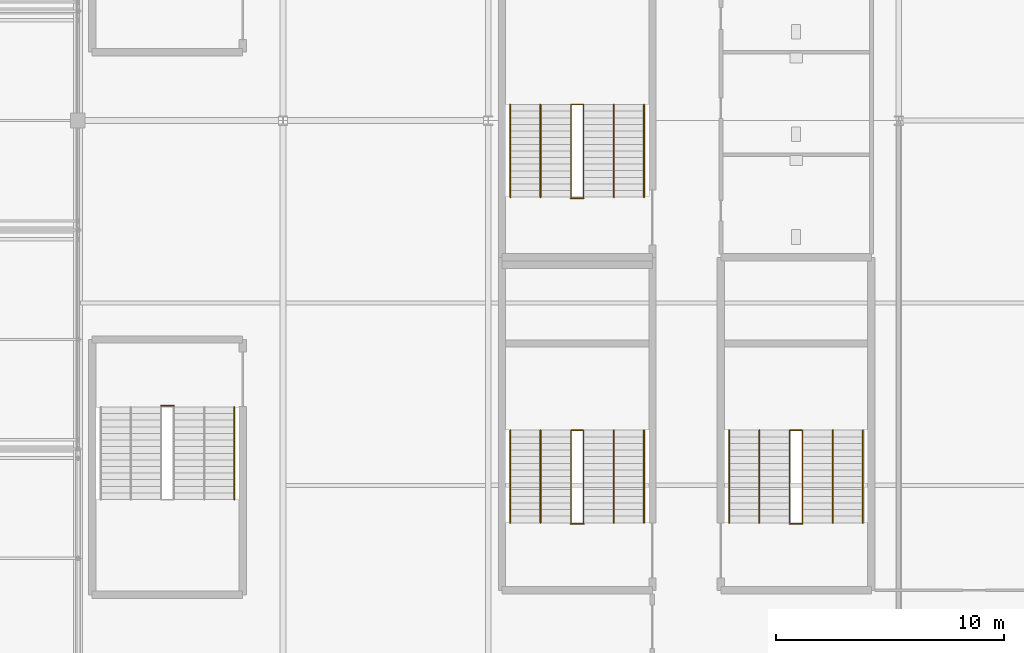
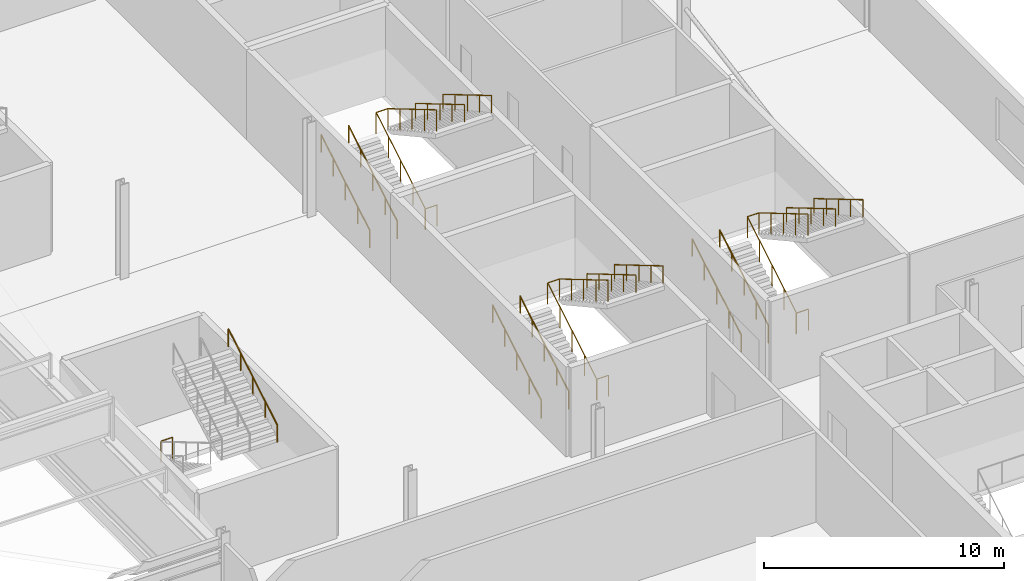
# One storey, part 132 of 136: 20 railings.
"""IFC4 building model written with IfcOpenShell, lengths in metres."""

from ifc_helpers import new_model, si_unit, direction, frame, origin, origin_2d, place, context, subcontext, project, spatial, circle, extrude, material, type_object, element, save


model = new_model("IFC4")

# Units and contexts
model_context = context("Model", 3, precision=1e-05, world=origin(), true_north=direction((0.0, 1.0)))
body_context = subcontext(model_context, "Body", "Model", "MODEL_VIEW")
ifc_project = project(units=[si_unit("LENGTHUNIT", "METRE"), si_unit("AREAUNIT", "SQUARE_METRE"), si_unit("VOLUMEUNIT", "CUBIC_METRE"), si_unit("PLANEANGLEUNIT", "RADIAN"), si_unit("MASSUNIT", "GRAM", prefix="KILO")], contexts=[model_context])

# Site, building, storey
site_placement = place(None, origin())
site = spatial("IfcSite", under=ifc_project, at=site_placement, CompositionType="ELEMENT")
building_placement = place(site_placement, origin())
building = spatial("IfcBuilding", under=site, at=building_placement, Name="Kisiwana Market Hall", CompositionType="ELEMENT")
storey_placement = place(building_placement, frame((0.0, 0.0, 16.800048828125)))
storey = spatial("IfcBuildingStorey", under=building, at=storey_placement, Name="L03", CompositionType="ELEMENT", Elevation=16.800048828125)

# Railings
ifc_material_1 = material(Name="Steel S275", Category="steel")
railing_type_1 = type_object("IfcRailingType", Name="RL-GUARD-1100", PredefinedType="GUARDRAIL", material=ifc_material_1)
railing_1_placement = place(storey_placement, frame((184.219970703125, 42.360107421875, 0.0)))
element("IfcRailing", 1, at=railing_1_placement, inside=storey, type_object=railing_type_1, Name="Stair ST-E3-L03 inner-well guardrail (RL-671)", PredefinedType="GUARDRAIL", context=body_context, shape_type="SweptSolid", body=[
    extrude(circle(Radius=0.02392578125, at=origin_2d()), frame((0.0, 0.0, 1.076171875), z_axis=(0.0, 0.860840976868, 0.508874063541), x_axis=(-1.0, 0.0, 0.0)), (0.0, 0.0, 1.0), 4.716064453125),
    extrude(circle(Radius=0.02392578125, at=origin_2d()), frame((0.0, 4.059814453125, 3.47607421875), z_axis=(1.0, 0.0, 0.0), x_axis=(0.0, 1.0, 0.0)), (0.0, 0.0, 1.0), 0.56005859375),
    extrude(circle(Radius=0.02392578125, at=origin_2d()), frame((0.56005859375, 4.059814453125, 3.47607421875), z_axis=(0.0, -0.860818299379, 0.50891242415), x_axis=(1.0, 0.0, 0.0)), (0.0, 0.0, 1.0), 4.71630859375),
    extrude(circle(Radius=0.02099609375, at=origin_2d()), origin(), (0.0, 0.0, 1.0), 1.052001953125),
    extrude(circle(Radius=0.02099609375, at=origin_2d()), frame((0.0, 1.014892578125, 0.60009765625)), (0.0, 0.0, 1.0), 1.052001953125),
    extrude(circle(Radius=0.02099609375, at=origin_2d()), frame((0.0, 2.02978515625, 1.199951171875)), (0.0, 0.0, 1.0), 1.052001953125),
    extrude(circle(Radius=0.02099609375, at=origin_2d()), frame((0.0, 3.044921875, 1.7998046875)), (0.0, 0.0, 1.0), 1.052001953125),
    extrude(circle(Radius=0.02099609375, at=origin_2d()), frame((0.0, 4.059814453125, 2.39990234375)), (0.0, 0.0, 1.0), 1.052001953125),
    extrude(circle(Radius=0.02099609375, at=origin_2d()), frame((0.56005859375, 4.059814453125, 2.39990234375)), (0.0, 0.0, 1.0), 1.052001953125),
    extrude(circle(Radius=0.02099609375, at=origin_2d()), frame((0.56005859375, 3.044921875, 3.0)), (0.0, 0.0, 1.0), 1.052001953125),
    extrude(circle(Radius=0.02099609375, at=origin_2d()), frame((0.56005859375, 2.02978515625, 3.60009765625)), (0.0, 0.0, 1.0), 1.052001953125),
    extrude(circle(Radius=0.02099609375, at=origin_2d()), frame((0.56005859375, 1.014892578125, 4.199951171875)), (0.0, 0.0, 1.0), 1.052001953125),
    extrude(circle(Radius=0.02099609375, at=origin_2d()), frame((0.56005859375, 0.0, 4.800048828125)), (0.0, 0.0, 1.0), 1.052001953125),
])
railing_2_placement = place(storey_placement, frame((184.219970703125, 42.31005859375, 0.0)))
element("IfcRailing", 2, at=railing_2_placement, inside=storey, type_object=railing_type_1, Name="Stair ST-E3-L03 landing edge guardrail (RL-676)", PredefinedType="GUARDRAIL", context=body_context, shape_type="SweptSolid", body=[
    extrude(circle(Radius=0.02392578125, at=origin_2d()), frame((0.0, 0.0, 1.076171875), z_axis=(1.0, 0.0, 0.0), x_axis=(0.0, 1.0, 0.0)), (0.0, 0.0, 1.0), 0.56005859375),
    extrude(circle(Radius=0.02099609375, at=origin_2d()), origin(), (0.0, 0.0, 1.0), 1.052001953125),
    extrude(circle(Radius=0.02099609375, at=origin_2d()), frame((0.56005859375, 0.0, 0.0)), (0.0, 0.0, 1.0), 1.052001953125),
])
railing_3_placement = place(storey_placement, frame((174.6201171875, 42.360107421875, 0.0)))
element("IfcRailing", 3, at=railing_3_placement, inside=storey, type_object=railing_type_1, Name="Stair ST-E7-L03 inner-well guardrail (RL-689)", PredefinedType="GUARDRAIL", context=body_context, shape_type="SweptSolid", body=[
    extrude(circle(Radius=0.02392578125, at=origin_2d()), frame((0.0, 0.0, 1.076171875), z_axis=(0.0, 0.860840976868, 0.508874063541), x_axis=(-1.0, 0.0, 0.0)), (0.0, 0.0, 1.0), 4.716064453125),
    extrude(circle(Radius=0.02392578125, at=origin_2d()), frame((0.0, 4.059814453125, 3.47607421875), z_axis=(1.0, 0.0, 0.0), x_axis=(0.0, 1.0, 0.0)), (0.0, 0.0, 1.0), 0.559814453125),
    extrude(circle(Radius=0.02392578125, at=origin_2d()), frame((0.559814453125, 4.059814453125, 3.47607421875), z_axis=(0.0, -0.860818299379, 0.50891242415), x_axis=(1.0, 0.0, 0.0)), (0.0, 0.0, 1.0), 4.71630859375),
    extrude(circle(Radius=0.02099609375, at=origin_2d()), origin(), (0.0, 0.0, 1.0), 1.052001953125),
    extrude(circle(Radius=0.02099609375, at=origin_2d()), frame((0.0, 1.014892578125, 0.60009765625)), (0.0, 0.0, 1.0), 1.052001953125),
    extrude(circle(Radius=0.02099609375, at=origin_2d()), frame((0.0, 2.02978515625, 1.199951171875)), (0.0, 0.0, 1.0), 1.052001953125),
    extrude(circle(Radius=0.02099609375, at=origin_2d()), frame((0.0, 3.044921875, 1.7998046875)), (0.0, 0.0, 1.0), 1.052001953125),
    extrude(circle(Radius=0.02099609375, at=origin_2d()), frame((0.0, 4.059814453125, 2.39990234375)), (0.0, 0.0, 1.0), 1.052001953125),
    extrude(circle(Radius=0.02099609375, at=origin_2d()), frame((0.559814453125, 4.059814453125, 2.39990234375)), (0.0, 0.0, 1.0), 1.052001953125),
    extrude(circle(Radius=0.02099609375, at=origin_2d()), frame((0.559814453125, 3.044921875, 3.0)), (0.0, 0.0, 1.0), 1.052001953125),
    extrude(circle(Radius=0.02099609375, at=origin_2d()), frame((0.559814453125, 2.02978515625, 3.60009765625)), (0.0, 0.0, 1.0), 1.052001953125),
    extrude(circle(Radius=0.02099609375, at=origin_2d()), frame((0.559814453125, 1.014892578125, 4.199951171875)), (0.0, 0.0, 1.0), 1.052001953125),
    extrude(circle(Radius=0.02099609375, at=origin_2d()), frame((0.559814453125, 0.0, 4.800048828125)), (0.0, 0.0, 1.0), 1.052001953125),
])
railing_4_placement = place(storey_placement, frame((174.6201171875, 42.31005859375, 0.0)))
element("IfcRailing", 4, at=railing_4_placement, inside=storey, type_object=railing_type_1, Name="Stair ST-E7-L03 landing edge guardrail (RL-694)", PredefinedType="GUARDRAIL", context=body_context, shape_type="SweptSolid", body=[
    extrude(circle(Radius=0.02392578125, at=origin_2d()), frame((0.0, 0.0, 1.076171875), z_axis=(1.0, 0.0, 0.0), x_axis=(0.0, 1.0, 0.0)), (0.0, 0.0, 1.0), 0.559814453125),
    extrude(circle(Radius=0.02099609375, at=origin_2d()), origin(), (0.0, 0.0, 1.0), 1.052001953125),
    extrude(circle(Radius=0.02099609375, at=origin_2d()), frame((0.559814453125, 0.0, 0.0)), (0.0, 0.0, 1.0), 1.052001953125),
])
railing_5_placement = place(storey_placement, frame((156.64990234375, 47.489990234375, 0.0)))
element("IfcRailing", 5, at=railing_5_placement, inside=storey, type_object=railing_type_1, Name="Stair ST-E9-L03 landing edge guardrail (RL-718)", PredefinedType="GUARDRAIL", context=body_context, shape_type="SweptSolid", body=[
    extrude(circle(Radius=0.02392578125, at=origin_2d()), frame((0.0, 0.0, 1.076171875), z_axis=(1.0, 0.0, 0.0), x_axis=(0.0, 1.0, 0.0)), (0.0, 0.0, 1.0), 0.56005859375),
    extrude(circle(Radius=0.02099609375, at=origin_2d()), origin(), (0.0, 0.0, 1.0), 1.052001953125),
    extrude(circle(Radius=0.02099609375, at=origin_2d()), frame((0.56005859375, 0.0, 0.0)), (0.0, 0.0, 1.0), 1.052001953125),
])
railing_6_placement = place(storey_placement, frame((174.6201171875, 56.639892578125, 0.0)))
element("IfcRailing", 6, at=railing_6_placement, inside=storey, type_object=railing_type_1, Name="Stair ST-E5-L03 inner-well guardrail (RL-737)", PredefinedType="GUARDRAIL", context=body_context, shape_type="SweptSolid", body=[
    extrude(circle(Radius=0.02392578125, at=origin_2d()), frame((0.0, 0.0, 1.076171875), z_axis=(0.0, 0.8608543813, 0.508851387142), x_axis=(-1.0, 0.0, 0.0)), (0.0, 0.0, 1.0), 4.71630859375),
    extrude(circle(Radius=0.02392578125, at=origin_2d()), frame((0.0, 4.06005859375, 3.47607421875), z_axis=(1.0, 0.0, 0.0), x_axis=(0.0, 1.0, 0.0)), (0.0, 0.0, 1.0), 0.559814453125),
    extrude(circle(Radius=0.02392578125, at=origin_2d()), frame((0.559814453125, 4.06005859375, 3.47607421875), z_axis=(0.0, -0.860831705478, 0.508889747237), x_axis=(1.0, 0.0, 0.0)), (0.0, 0.0, 1.0), 4.716552734375),
    extrude(circle(Radius=0.02099609375, at=origin_2d()), origin(), (0.0, 0.0, 1.0), 1.052001953125),
    extrude(circle(Radius=0.02099609375, at=origin_2d()), frame((0.0, 1.01513671875, 0.60009765625)), (0.0, 0.0, 1.0), 1.052001953125),
    extrude(circle(Radius=0.02099609375, at=origin_2d()), frame((0.0, 2.030029296875, 1.199951171875)), (0.0, 0.0, 1.0), 1.052001953125),
    extrude(circle(Radius=0.02099609375, at=origin_2d()), frame((0.0, 3.044921875, 1.7998046875)), (0.0, 0.0, 1.0), 1.052001953125),
    extrude(circle(Radius=0.02099609375, at=origin_2d()), frame((0.0, 4.06005859375, 2.39990234375)), (0.0, 0.0, 1.0), 1.052001953125),
    extrude(circle(Radius=0.02099609375, at=origin_2d()), frame((0.559814453125, 4.06005859375, 2.39990234375)), (0.0, 0.0, 1.0), 1.052001953125),
    extrude(circle(Radius=0.02099609375, at=origin_2d()), frame((0.559814453125, 3.044921875, 3.0)), (0.0, 0.0, 1.0), 1.052001953125),
    extrude(circle(Radius=0.02099609375, at=origin_2d()), frame((0.559814453125, 2.030029296875, 3.60009765625)), (0.0, 0.0, 1.0), 1.052001953125),
    extrude(circle(Radius=0.02099609375, at=origin_2d()), frame((0.559814453125, 1.01513671875, 4.199951171875)), (0.0, 0.0, 1.0), 1.052001953125),
    extrude(circle(Radius=0.02099609375, at=origin_2d()), frame((0.559814453125, 0.0, 4.800048828125)), (0.0, 0.0, 1.0), 1.052001953125),
])
railing_7_placement = place(storey_placement, frame((174.6201171875, 56.590087890625, 0.0)))
element("IfcRailing", 7, at=railing_7_placement, inside=storey, type_object=railing_type_1, Name="Stair ST-E5-L03 landing edge guardrail (RL-742)", PredefinedType="GUARDRAIL", context=body_context, shape_type="SweptSolid", body=[
    extrude(circle(Radius=0.02392578125, at=origin_2d()), frame((0.0, 0.0, 1.076171875), z_axis=(1.0, 0.0, 0.0), x_axis=(0.0, 1.0, 0.0)), (0.0, 0.0, 1.0), 0.559814453125),
    extrude(circle(Radius=0.02099609375, at=origin_2d()), origin(), (0.0, 0.0, 1.0), 1.052001953125),
    extrude(circle(Radius=0.02099609375, at=origin_2d()), frame((0.559814453125, 0.0, 0.0)), (0.0, 0.0, 1.0), 1.052001953125),
])
ifc_material_2 = material(Name="Steel S275", Category="steel")
railing_type_2 = type_object("IfcRailingType", Name="RL-HAND-900", PredefinedType="HANDRAIL", material=ifc_material_2)
railing_8_placement = place(storey_placement, frame((181.570068359375, 42.360107421875, 0.0)))
element("IfcRailing", 8, at=railing_8_placement, inside=storey, type_object=railing_type_2, Name="Stair ST-E3-L03 flight 1 handrail (RL-672)", PredefinedType="HANDRAIL", context=body_context, shape_type="SweptSolid", body=[
    extrude(circle(Radius=0.02392578125, at=origin_2d()), frame((0.0, 0.0, 0.8759765625), z_axis=(0.0, 0.860840976868, 0.508874063541), x_axis=(-1.0, 0.0, 0.0)), (0.0, 0.0, 1.0), 4.716064453125),
    extrude(circle(Radius=0.02099609375, at=origin_2d()), origin(), (0.0, 0.0, 1.0), 0.851806640625),
    extrude(circle(Radius=0.02099609375, at=origin_2d()), frame((0.0, 1.014892578125, 0.60009765625)), (0.0, 0.0, 1.0), 0.851806640625),
    extrude(circle(Radius=0.02099609375, at=origin_2d()), frame((0.0, 2.02978515625, 1.199951171875)), (0.0, 0.0, 1.0), 0.851806640625),
    extrude(circle(Radius=0.02099609375, at=origin_2d()), frame((0.0, 3.044921875, 1.7998046875)), (0.0, 0.0, 1.0), 0.851806640625),
    extrude(circle(Radius=0.02099609375, at=origin_2d()), frame((0.0, 4.059814453125, 2.39990234375)), (0.0, 0.0, 1.0), 0.851806640625),
])
railing_9_placement = place(storey_placement, frame((187.429931640625, 46.419921875, 2.39990234375)))
element("IfcRailing", 9, at=railing_9_placement, inside=storey, type_object=railing_type_2, Name="Stair ST-E3-L03 flight 2 handrail (RL-673)", PredefinedType="HANDRAIL", context=body_context, shape_type="SweptSolid", body=[
    extrude(circle(Radius=0.02392578125, at=origin_2d()), frame((0.0, 0.0, 0.8759765625), z_axis=(0.0, -0.860818299379, 0.50891242415), x_axis=(1.0, 0.0, 0.0)), (0.0, 0.0, 1.0), 4.71630859375),
    extrude(circle(Radius=0.02099609375, at=origin_2d()), origin(), (0.0, 0.0, 1.0), 0.851806640625),
    extrude(circle(Radius=0.02099609375, at=origin_2d()), frame((0.0, -1.014892578125, 0.60009765625)), (0.0, 0.0, 1.0), 0.851806640625),
    extrude(circle(Radius=0.02099609375, at=origin_2d()), frame((0.0, -2.02978515625, 1.2001953125)), (0.0, 0.0, 1.0), 0.851806640625),
    extrude(circle(Radius=0.02099609375, at=origin_2d()), frame((0.0, -3.044921875, 1.800048828125)), (0.0, 0.0, 1.0), 0.851806640625),
    extrude(circle(Radius=0.02099609375, at=origin_2d()), frame((0.0, -4.059814453125, 2.400146484375)), (0.0, 0.0, 1.0), 0.851806640625),
])
railing_10_placement = place(storey_placement, frame((182.889892578125, 42.360107421875, 0.0)))
element("IfcRailing", 10, at=railing_10_placement, inside=storey, type_object=railing_type_2, Name="Stair ST-E3-L03 flight 1 intermediate handrail (RL-674)", PredefinedType="HANDRAIL", context=body_context, shape_type="SweptSolid", body=[
    extrude(circle(Radius=0.02392578125, at=origin_2d()), frame((0.0, 0.0, 0.8759765625), z_axis=(0.0, 0.860840976868, 0.508874063541), x_axis=(-1.0, 0.0, 0.0)), (0.0, 0.0, 1.0), 4.716064453125),
    extrude(circle(Radius=0.02099609375, at=origin_2d()), origin(), (0.0, 0.0, 1.0), 0.851806640625),
    extrude(circle(Radius=0.02099609375, at=origin_2d()), frame((0.0, 1.014892578125, 0.60009765625)), (0.0, 0.0, 1.0), 0.851806640625),
    extrude(circle(Radius=0.02099609375, at=origin_2d()), frame((0.0, 2.02978515625, 1.199951171875)), (0.0, 0.0, 1.0), 0.851806640625),
    extrude(circle(Radius=0.02099609375, at=origin_2d()), frame((0.0, 3.044921875, 1.7998046875)), (0.0, 0.0, 1.0), 0.851806640625),
    extrude(circle(Radius=0.02099609375, at=origin_2d()), frame((0.0, 4.059814453125, 2.39990234375)), (0.0, 0.0, 1.0), 0.851806640625),
])
railing_11_placement = place(storey_placement, frame((186.110107421875, 46.419921875, 2.39990234375)))
element("IfcRailing", 11, at=railing_11_placement, inside=storey, type_object=railing_type_2, Name="Stair ST-E3-L03 flight 2 intermediate handrail (RL-675)", PredefinedType="HANDRAIL", context=body_context, shape_type="SweptSolid", body=[
    extrude(circle(Radius=0.02392578125, at=origin_2d()), frame((0.0, 0.0, 0.8759765625), z_axis=(0.0, -0.860818299379, 0.50891242415), x_axis=(1.0, 0.0, 0.0)), (0.0, 0.0, 1.0), 4.71630859375),
    extrude(circle(Radius=0.02099609375, at=origin_2d()), origin(), (0.0, 0.0, 1.0), 0.851806640625),
    extrude(circle(Radius=0.02099609375, at=origin_2d()), frame((0.0, -1.014892578125, 0.60009765625)), (0.0, 0.0, 1.0), 0.851806640625),
    extrude(circle(Radius=0.02099609375, at=origin_2d()), frame((0.0, -2.02978515625, 1.2001953125)), (0.0, 0.0, 1.0), 0.851806640625),
    extrude(circle(Radius=0.02099609375, at=origin_2d()), frame((0.0, -3.044921875, 1.800048828125)), (0.0, 0.0, 1.0), 0.851806640625),
    extrude(circle(Radius=0.02099609375, at=origin_2d()), frame((0.0, -4.059814453125, 2.400146484375)), (0.0, 0.0, 1.0), 0.851806640625),
])
railing_12_placement = place(storey_placement, frame((171.969970703125, 42.360107421875, 0.0)))
element("IfcRailing", 12, at=railing_12_placement, inside=storey, type_object=railing_type_2, Name="Stair ST-E7-L03 flight 1 handrail (RL-690)", PredefinedType="HANDRAIL", context=body_context, shape_type="SweptSolid", body=[
    extrude(circle(Radius=0.02392578125, at=origin_2d()), frame((0.0, 0.0, 0.8759765625), z_axis=(0.0, 0.860840976868, 0.508874063541), x_axis=(-1.0, 0.0, 0.0)), (0.0, 0.0, 1.0), 4.716064453125),
    extrude(circle(Radius=0.02099609375, at=origin_2d()), origin(), (0.0, 0.0, 1.0), 0.851806640625),
    extrude(circle(Radius=0.02099609375, at=origin_2d()), frame((0.0, 1.014892578125, 0.60009765625)), (0.0, 0.0, 1.0), 0.851806640625),
    extrude(circle(Radius=0.02099609375, at=origin_2d()), frame((0.0, 2.02978515625, 1.199951171875)), (0.0, 0.0, 1.0), 0.851806640625),
    extrude(circle(Radius=0.02099609375, at=origin_2d()), frame((0.0, 3.044921875, 1.7998046875)), (0.0, 0.0, 1.0), 0.851806640625),
    extrude(circle(Radius=0.02099609375, at=origin_2d()), frame((0.0, 4.059814453125, 2.39990234375)), (0.0, 0.0, 1.0), 0.851806640625),
])
railing_13_placement = place(storey_placement, frame((177.830078125, 46.419921875, 2.39990234375)))
element("IfcRailing", 13, at=railing_13_placement, inside=storey, type_object=railing_type_2, Name="Stair ST-E7-L03 flight 2 handrail (RL-691)", PredefinedType="HANDRAIL", context=body_context, shape_type="SweptSolid", body=[
    extrude(circle(Radius=0.02392578125, at=origin_2d()), frame((0.0, 0.0, 0.8759765625), z_axis=(0.0, -0.860818299379, 0.50891242415), x_axis=(1.0, 0.0, 0.0)), (0.0, 0.0, 1.0), 4.71630859375),
    extrude(circle(Radius=0.02099609375, at=origin_2d()), origin(), (0.0, 0.0, 1.0), 0.851806640625),
    extrude(circle(Radius=0.02099609375, at=origin_2d()), frame((0.0, -1.014892578125, 0.60009765625)), (0.0, 0.0, 1.0), 0.851806640625),
    extrude(circle(Radius=0.02099609375, at=origin_2d()), frame((0.0, -2.02978515625, 1.2001953125)), (0.0, 0.0, 1.0), 0.851806640625),
    extrude(circle(Radius=0.02099609375, at=origin_2d()), frame((0.0, -3.044921875, 1.800048828125)), (0.0, 0.0, 1.0), 0.851806640625),
    extrude(circle(Radius=0.02099609375, at=origin_2d()), frame((0.0, -4.059814453125, 2.400146484375)), (0.0, 0.0, 1.0), 0.851806640625),
])
railing_14_placement = place(storey_placement, frame((173.2900390625, 42.360107421875, 0.0)))
element("IfcRailing", 14, at=railing_14_placement, inside=storey, type_object=railing_type_2, Name="Stair ST-E7-L03 flight 1 intermediate handrail (RL-692)", PredefinedType="HANDRAIL", context=body_context, shape_type="SweptSolid", body=[
    extrude(circle(Radius=0.02392578125, at=origin_2d()), frame((0.0, 0.0, 0.8759765625), z_axis=(0.0, 0.860840976868, 0.508874063541), x_axis=(-1.0, 0.0, 0.0)), (0.0, 0.0, 1.0), 4.716064453125),
    extrude(circle(Radius=0.02099609375, at=origin_2d()), origin(), (0.0, 0.0, 1.0), 0.851806640625),
    extrude(circle(Radius=0.02099609375, at=origin_2d()), frame((0.0, 1.014892578125, 0.60009765625)), (0.0, 0.0, 1.0), 0.851806640625),
    extrude(circle(Radius=0.02099609375, at=origin_2d()), frame((0.0, 2.02978515625, 1.199951171875)), (0.0, 0.0, 1.0), 0.851806640625),
    extrude(circle(Radius=0.02099609375, at=origin_2d()), frame((0.0, 3.044921875, 1.7998046875)), (0.0, 0.0, 1.0), 0.851806640625),
    extrude(circle(Radius=0.02099609375, at=origin_2d()), frame((0.0, 4.059814453125, 2.39990234375)), (0.0, 0.0, 1.0), 0.851806640625),
])
railing_15_placement = place(storey_placement, frame((176.510009765625, 46.419921875, 2.39990234375)))
element("IfcRailing", 15, at=railing_15_placement, inside=storey, type_object=railing_type_2, Name="Stair ST-E7-L03 flight 2 intermediate handrail (RL-693)", PredefinedType="HANDRAIL", context=body_context, shape_type="SweptSolid", body=[
    extrude(circle(Radius=0.02392578125, at=origin_2d()), frame((0.0, 0.0, 0.8759765625), z_axis=(0.0, -0.860818299379, 0.50891242415), x_axis=(1.0, 0.0, 0.0)), (0.0, 0.0, 1.0), 4.71630859375),
    extrude(circle(Radius=0.02099609375, at=origin_2d()), origin(), (0.0, 0.0, 1.0), 0.851806640625),
    extrude(circle(Radius=0.02099609375, at=origin_2d()), frame((0.0, -1.014892578125, 0.60009765625)), (0.0, 0.0, 1.0), 0.851806640625),
    extrude(circle(Radius=0.02099609375, at=origin_2d()), frame((0.0, -2.02978515625, 1.2001953125)), (0.0, 0.0, 1.0), 0.851806640625),
    extrude(circle(Radius=0.02099609375, at=origin_2d()), frame((0.0, -3.044921875, 1.800048828125)), (0.0, 0.0, 1.0), 0.851806640625),
    extrude(circle(Radius=0.02099609375, at=origin_2d()), frame((0.0, -4.059814453125, 2.400146484375)), (0.0, 0.0, 1.0), 0.851806640625),
])
railing_16_placement = place(storey_placement, frame((159.860107421875, 43.3798828125, 2.39990234375)))
element("IfcRailing", 16, at=railing_16_placement, inside=storey, type_object=railing_type_2, Name="Stair ST-E9-L03 flight 2 handrail (RL-715)", PredefinedType="HANDRAIL", context=body_context, shape_type="SweptSolid", body=[
    extrude(circle(Radius=0.02392578125, at=origin_2d()), frame((0.0, 0.0, 0.8759765625), z_axis=(0.0, 0.860831705478, 0.508889747237), x_axis=(-1.0, 0.0, 0.0)), (0.0, 0.0, 1.0), 4.716552734375),
    extrude(circle(Radius=0.02099609375, at=origin_2d()), origin(), (0.0, 0.0, 1.0), 0.851806640625),
    extrude(circle(Radius=0.02099609375, at=origin_2d()), frame((0.0, 1.01513671875, 0.60009765625)), (0.0, 0.0, 1.0), 0.851806640625),
    extrude(circle(Radius=0.02099609375, at=origin_2d()), frame((0.0, 2.030029296875, 1.2001953125)), (0.0, 0.0, 1.0), 0.851806640625),
    extrude(circle(Radius=0.02099609375, at=origin_2d()), frame((0.0, 3.044921875, 1.800048828125)), (0.0, 0.0, 1.0), 0.851806640625),
    extrude(circle(Radius=0.02099609375, at=origin_2d()), frame((0.0, 4.06005859375, 2.400146484375)), (0.0, 0.0, 1.0), 0.851806640625),
])
railing_17_placement = place(storey_placement, frame((171.969970703125, 56.639892578125, 0.0)))
element("IfcRailing", 17, at=railing_17_placement, inside=storey, type_object=railing_type_2, Name="Stair ST-E5-L03 flight 1 handrail (RL-738)", PredefinedType="HANDRAIL", context=body_context, shape_type="SweptSolid", body=[
    extrude(circle(Radius=0.02392578125, at=origin_2d()), frame((0.0, 0.0, 0.8759765625), z_axis=(0.0, 0.8608543813, 0.508851387142), x_axis=(-1.0, 0.0, 0.0)), (0.0, 0.0, 1.0), 4.71630859375),
    extrude(circle(Radius=0.02099609375, at=origin_2d()), origin(), (0.0, 0.0, 1.0), 0.851806640625),
    extrude(circle(Radius=0.02099609375, at=origin_2d()), frame((0.0, 1.01513671875, 0.60009765625)), (0.0, 0.0, 1.0), 0.851806640625),
    extrude(circle(Radius=0.02099609375, at=origin_2d()), frame((0.0, 2.030029296875, 1.199951171875)), (0.0, 0.0, 1.0), 0.851806640625),
    extrude(circle(Radius=0.02099609375, at=origin_2d()), frame((0.0, 3.044921875, 1.7998046875)), (0.0, 0.0, 1.0), 0.851806640625),
    extrude(circle(Radius=0.02099609375, at=origin_2d()), frame((0.0, 4.06005859375, 2.39990234375)), (0.0, 0.0, 1.0), 0.851806640625),
])
railing_18_placement = place(storey_placement, frame((177.830078125, 60.699951171875, 2.39990234375)))
element("IfcRailing", 18, at=railing_18_placement, inside=storey, type_object=railing_type_2, Name="Stair ST-E5-L03 flight 2 handrail (RL-739)", PredefinedType="HANDRAIL", context=body_context, shape_type="SweptSolid", body=[
    extrude(circle(Radius=0.02392578125, at=origin_2d()), frame((0.0, 0.0, 0.8759765625), z_axis=(0.0, -0.860831705478, 0.508889747237), x_axis=(1.0, 0.0, 0.0)), (0.0, 0.0, 1.0), 4.716552734375),
    extrude(circle(Radius=0.02099609375, at=origin_2d()), origin(), (0.0, 0.0, 1.0), 0.851806640625),
    extrude(circle(Radius=0.02099609375, at=origin_2d()), frame((0.0, -1.01513671875, 0.60009765625)), (0.0, 0.0, 1.0), 0.851806640625),
    extrude(circle(Radius=0.02099609375, at=origin_2d()), frame((0.0, -2.030029296875, 1.2001953125)), (0.0, 0.0, 1.0), 0.851806640625),
    extrude(circle(Radius=0.02099609375, at=origin_2d()), frame((0.0, -3.044921875, 1.800048828125)), (0.0, 0.0, 1.0), 0.851806640625),
    extrude(circle(Radius=0.02099609375, at=origin_2d()), frame((0.0, -4.06005859375, 2.400146484375)), (0.0, 0.0, 1.0), 0.851806640625),
])
railing_19_placement = place(storey_placement, frame((173.2900390625, 56.639892578125, 0.0)))
element("IfcRailing", 19, at=railing_19_placement, inside=storey, type_object=railing_type_2, Name="Stair ST-E5-L03 flight 1 intermediate handrail (RL-740)", PredefinedType="HANDRAIL", context=body_context, shape_type="SweptSolid", body=[
    extrude(circle(Radius=0.02392578125, at=origin_2d()), frame((0.0, 0.0, 0.8759765625), z_axis=(0.0, 0.8608543813, 0.508851387142), x_axis=(-1.0, 0.0, 0.0)), (0.0, 0.0, 1.0), 4.71630859375),
    extrude(circle(Radius=0.02099609375, at=origin_2d()), origin(), (0.0, 0.0, 1.0), 0.851806640625),
    extrude(circle(Radius=0.02099609375, at=origin_2d()), frame((0.0, 1.01513671875, 0.60009765625)), (0.0, 0.0, 1.0), 0.851806640625),
    extrude(circle(Radius=0.02099609375, at=origin_2d()), frame((0.0, 2.030029296875, 1.199951171875)), (0.0, 0.0, 1.0), 0.851806640625),
    extrude(circle(Radius=0.02099609375, at=origin_2d()), frame((0.0, 3.044921875, 1.7998046875)), (0.0, 0.0, 1.0), 0.851806640625),
    extrude(circle(Radius=0.02099609375, at=origin_2d()), frame((0.0, 4.06005859375, 2.39990234375)), (0.0, 0.0, 1.0), 0.851806640625),
])
railing_20_placement = place(storey_placement, frame((176.510009765625, 60.699951171875, 2.39990234375)))
element("IfcRailing", 20, at=railing_20_placement, inside=storey, type_object=railing_type_2, Name="Stair ST-E5-L03 flight 2 intermediate handrail (RL-741)", PredefinedType="HANDRAIL", context=body_context, shape_type="SweptSolid", body=[
    extrude(circle(Radius=0.02392578125, at=origin_2d()), frame((0.0, 0.0, 0.8759765625), z_axis=(0.0, -0.860831705478, 0.508889747237), x_axis=(1.0, 0.0, 0.0)), (0.0, 0.0, 1.0), 4.716552734375),
    extrude(circle(Radius=0.02099609375, at=origin_2d()), origin(), (0.0, 0.0, 1.0), 0.851806640625),
    extrude(circle(Radius=0.02099609375, at=origin_2d()), frame((0.0, -1.01513671875, 0.60009765625)), (0.0, 0.0, 1.0), 0.851806640625),
    extrude(circle(Radius=0.02099609375, at=origin_2d()), frame((0.0, -2.030029296875, 1.2001953125)), (0.0, 0.0, 1.0), 0.851806640625),
    extrude(circle(Radius=0.02099609375, at=origin_2d()), frame((0.0, -3.044921875, 1.800048828125)), (0.0, 0.0, 1.0), 0.851806640625),
    extrude(circle(Radius=0.02099609375, at=origin_2d()), frame((0.0, -4.06005859375, 2.400146484375)), (0.0, 0.0, 1.0), 0.851806640625),
])

save(model, "model.ifc")
